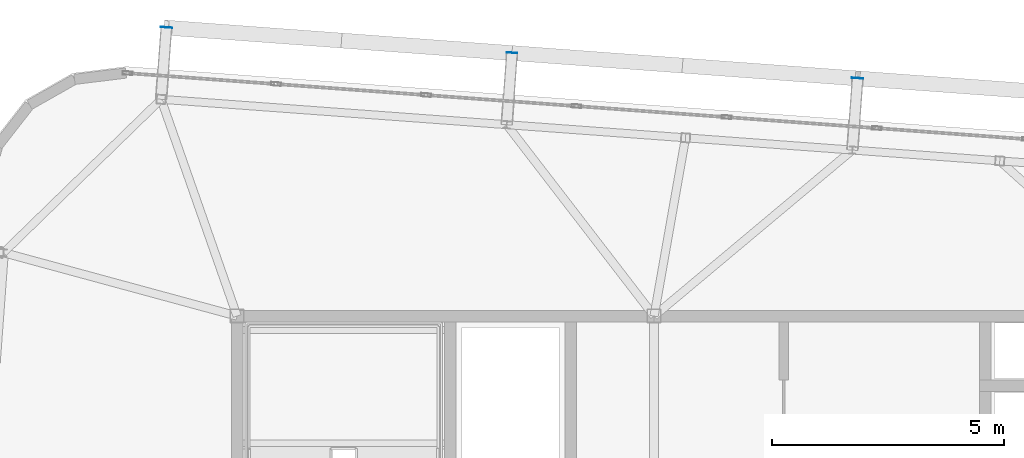
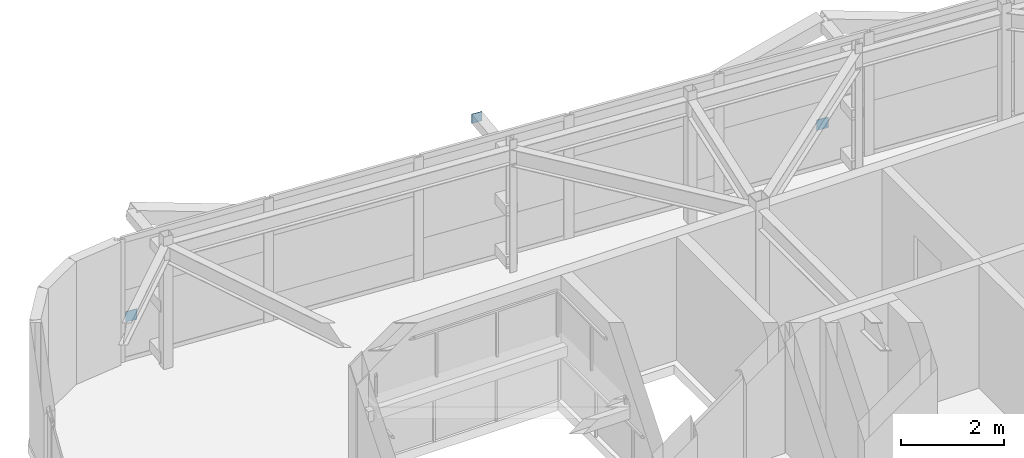
# One storey, part 36 of 42: 3 plates.
"""IFC4 building model written with IfcOpenShell, lengths in metres."""

from ifc_helpers import new_model, si_unit, direction, frame, origin, origin_2d, place, context, subcontext, project, spatial, rectangle, extrude, source, transform, mapped, material, layer, layer_set, type_object, element, save


model = new_model("IFC4")

# Units and contexts
model_context = context("Model", 3, precision=1e-05, world=origin(), true_north=direction((0.0, 1.0)))
body_context = subcontext(model_context, "Body", "Model", "MODEL_VIEW")
ifc_project = project(units=[si_unit("LENGTHUNIT", "METRE"), si_unit("AREAUNIT", "SQUARE_METRE"), si_unit("VOLUMEUNIT", "CUBIC_METRE"), si_unit("PLANEANGLEUNIT", "RADIAN"), si_unit("MASSUNIT", "GRAM", prefix="KILO")], contexts=[model_context])

# Site, building, storey
site_placement = place(None, origin())
site = spatial("IfcSite", under=ifc_project, at=site_placement, CompositionType="ELEMENT")
building_placement = place(site_placement, origin())
building = spatial("IfcBuilding", under=site, at=building_placement, Name="Taldren Reach Tower", CompositionType="ELEMENT")
storey_placement = place(building_placement, frame((0.0, 0.0, 214.550048828125)))
storey = spatial("IfcBuildingStorey", under=building, at=storey_placement, Name="L65", CompositionType="ELEMENT", Elevation=214.550048828125)

# Plates
ifc_material_1 = material(Name="Steel Gr 350 (C350L0)", Category="steel")
ifc_layer_1 = layer(ifc_material_1, 0.011962890625)
ifc_layer_set_1 = layer_set([ifc_layer_1], Name="Steel Gr 350 (C350L0)")
plate_type_1 = type_object("IfcPlateType", Name="PL-CAP-250", PredefinedType="SHEET", material=ifc_layer_set_1)
shared_shape_1 = source(origin(), body_context, "Body", "SweptSolid", [
    extrude(rectangle(XDim=0.25, YDim=0.011962890625, at=origin_2d()), origin(), (0.0, 0.0, 1.0), 0.25),
])
for number, where, z_axis, x_axis, name in (
    (1, (17.4736328125, 38.230712890625, 0.094970703125), (0.0, 0.0, 1.0), (0.997314477224, -0.073238197128, 0.0), "Tie strut end cap plate B5-N1 L65"),
    (2, (32.3935546875, 37.135009765625, 0.094970703125), (0.0, 0.0, 1.0), (0.997314477224, -0.073238197128, 0.0), "Tie strut end cap plate B5-N3 L65"),
):
    element("IfcPlate", number, at=place(storey_placement, frame(where, z_axis=z_axis, x_axis=x_axis)), inside=storey, type_object=plate_type_1, Name=name, PredefinedType="SHEET", context=body_context, shape_type="MappedRepresentation", body=[
        mapped(shared_shape_1, transform((0.0, 0.0, 0.0), scale=1.0)),
    ])
ifc_material_2 = material(Name="Steel Gr 450 (C450L0)", Category="steel")
ifc_layer_2 = layer(ifc_material_2, 0.011962890625)
ifc_layer_set_2 = layer_set([ifc_layer_2], Name="Steel Gr 450 (C450L0)")
plate_type_2 = type_object("IfcPlateType", Name="PL-CAP-220", PredefinedType="SHEET", material=ifc_layer_set_2)
shared_shape_2 = source(origin(), body_context, "Body", "SweptSolid", [
    extrude(rectangle(XDim=0.219970703125, YDim=0.011962890625, at=origin_2d()), origin(), (0.0, 0.0, 1.0), 0.219970703125),
])
plate_placement = place(storey_placement, frame((24.93359375, 37.682861328125, 2.5400390625), z_axis=(0.0, 0.0, 1.0), x_axis=(0.997314477224, -0.073238197128, 0.0)))
element("IfcPlate", 3, at=plate_placement, inside=storey, type_object=plate_type_2, Name="Tie strut end cap plate B5-N2 L65", PredefinedType="SHEET", context=body_context, shape_type="MappedRepresentation", body=[
    mapped(shared_shape_2, transform((0.0, 0.0, 0.0), scale=1.0)),
])

save(model, "model.ifc")
